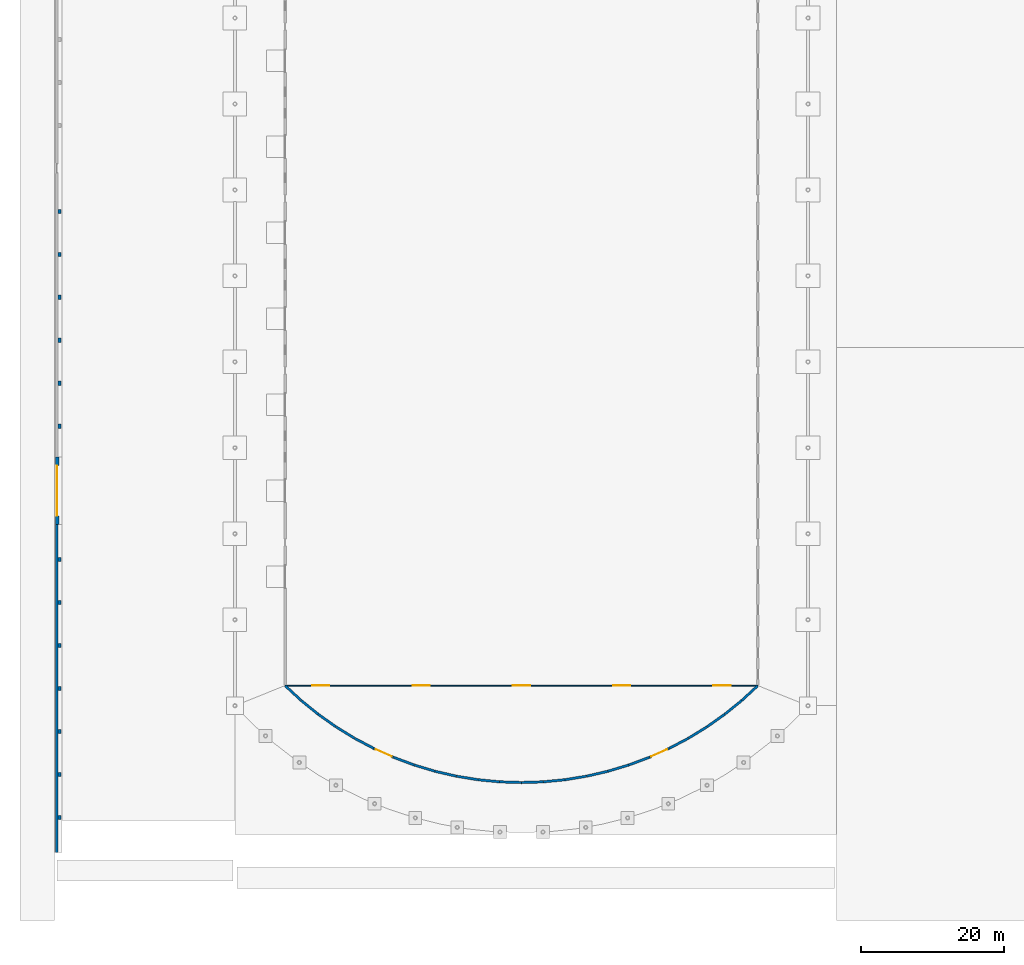
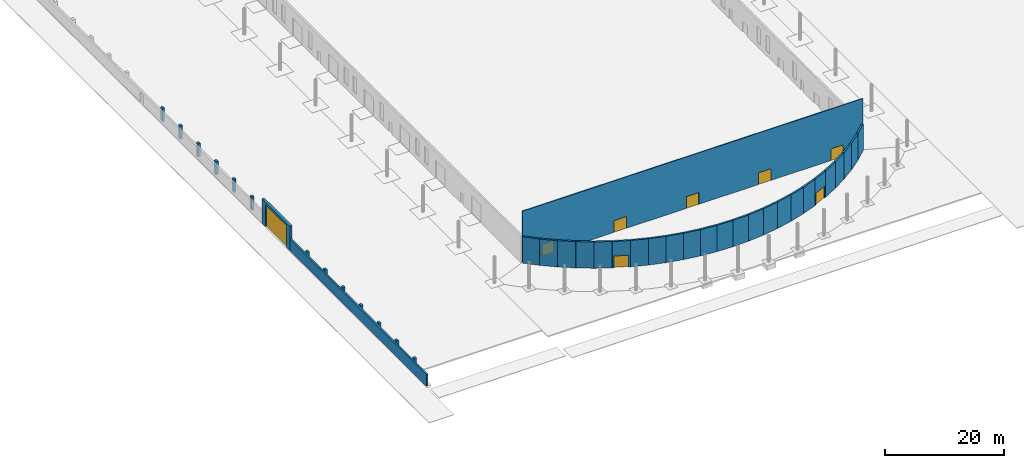
# One storey, part 59 of 132: 40 walls, 8 doors, 8 openings.
"""IFC4 building model written with IfcOpenShell, lengths in metres."""

from ifc_helpers import new_model, si_unit, direction, frame, frame_2d, origin, place, context, subcontext, project, spatial, rectangle, extrude, material, layer, layer_set, type_object, element, fill, save


model = new_model("IFC4")

# Units and contexts
model_context = context("Model", 3, precision=1e-05, world=origin(), true_north=direction((0.0, 1.0)))
body_context = subcontext(model_context, "Body", "Model", "MODEL_VIEW")
ifc_project = project(units=[si_unit("LENGTHUNIT", "METRE"), si_unit("AREAUNIT", "SQUARE_METRE"), si_unit("VOLUMEUNIT", "CUBIC_METRE"), si_unit("PLANEANGLEUNIT", "RADIAN"), si_unit("MASSUNIT", "GRAM", prefix="KILO")], contexts=[model_context])

# Site, building, storey
site_placement = place(None, origin())
site = spatial("IfcSite", under=ifc_project, at=site_placement, CompositionType="ELEMENT")
building_placement = place(site_placement, origin())
building = spatial("IfcBuilding", under=site, at=building_placement, Name="Ravi Spectrum Wholesale Market", CompositionType="ELEMENT")
storey_placement = place(building_placement, origin())
storey = spatial("IfcBuildingStorey", under=building, at=storey_placement, Name="L00", CompositionType="ELEMENT", Elevation=0.0)

# Wall, openings, doors
ifc_material_1 = material(Name="Concrete blockwork", Category="masonry")
ifc_layer_1 = layer(ifc_material_1, 0.14990234375)
ifc_layer_set_1 = layer_set([ifc_layer_1], Name="Concrete blockwork")
wall_type_1 = type_object("IfcWallType", Name="Blockwork partition 150", PredefinedType="PARTITIONING", material=ifc_layer_set_1)
wall_1_placement = place(storey_placement, frame((37.0, 32.810302734375, 0.0), z_axis=(0.0, 0.0, 1.0), x_axis=(1.0, 0.0, 0.0)))
wall_1 = element("IfcWall", 1, at=wall_1_placement, inside=storey, type_object=wall_type_1, Name="H1-WL-L00-028", PredefinedType="PARTITIONING", context=body_context, shape_type="SweptSolid", body=[
    extrude(rectangle(XDim=66.0, YDim=0.14990234375, at=frame_2d((33.0, 0.0))), origin(), (0.0, 0.0, 1.0), 10.550048828125),
])
opening_1_placement = place(wall_1_placement, frame((3.800048828125, 0.0, 0.0)))
opening_1 = element("IfcOpeningElement", 2, at=opening_1_placement, cuts=wall_1, Name="Opening D135", PredefinedType="OPENING", context=body_context, shape_type="SweptSolid", body=[
    extrude(rectangle(XDim=2.39990234375, YDim=2.39990234375, at=frame_2d((1.199951171875, 1.199951171875))), frame((0.0, 0.0849609375, 0.0), z_axis=(0.0, -1.0, 0.0), x_axis=(1.0, 0.0, 0.0)), (0.0, 0.0, 1.0), 0.169921875),
])
opening_2_placement = place(wall_1_placement, frame((17.800048828125, 0.0, 0.0)))
opening_2 = element("IfcOpeningElement", 3, at=opening_2_placement, cuts=wall_1, Name="Opening D136", PredefinedType="OPENING", context=body_context, shape_type="SweptSolid", body=[
    extrude(rectangle(XDim=2.39990234375, YDim=2.39990234375, at=frame_2d((1.199951171875, 1.199951171875))), frame((0.0, 0.0849609375, 0.0), z_axis=(0.0, -1.0, 0.0), x_axis=(1.0, 0.0, 0.0)), (0.0, 0.0, 1.0), 0.169921875),
])
opening_3_placement = place(wall_1_placement, frame((31.800048828125, 0.0, 0.0)))
opening_3 = element("IfcOpeningElement", 4, at=opening_3_placement, cuts=wall_1, Name="Opening D137", PredefinedType="OPENING", context=body_context, shape_type="SweptSolid", body=[
    extrude(rectangle(XDim=2.39990234375, YDim=2.39990234375, at=frame_2d((1.199951171875, 1.199951171875))), frame((0.0, 0.0849609375, 0.0), z_axis=(0.0, -1.0, 0.0), x_axis=(1.0, 0.0, 0.0)), (0.0, 0.0, 1.0), 0.169921875),
])
opening_4_placement = place(wall_1_placement, frame((45.800048828125, 0.0, 0.0)))
opening_4 = element("IfcOpeningElement", 5, at=opening_4_placement, cuts=wall_1, Name="Opening D138", PredefinedType="OPENING", context=body_context, shape_type="SweptSolid", body=[
    extrude(rectangle(XDim=2.39990234375, YDim=2.39990234375, at=frame_2d((1.199951171875, 1.199951171875))), frame((0.0, 0.0849609375, 0.0), z_axis=(0.0, -1.0, 0.0), x_axis=(1.0, 0.0, 0.0)), (0.0, 0.0, 1.0), 0.169921875),
])
opening_5_placement = place(wall_1_placement, frame((59.800048828125, 0.0, 0.0)))
opening_5 = element("IfcOpeningElement", 6, at=opening_5_placement, cuts=wall_1, Name="Opening D139", PredefinedType="OPENING", context=body_context, shape_type="SweptSolid", body=[
    extrude(rectangle(XDim=2.39990234375, YDim=2.39990234375, at=frame_2d((1.199951171875, 1.199951171875))), frame((0.0, 0.0849609375, 0.0), z_axis=(0.0, -1.0, 0.0), x_axis=(1.0, 0.0, 0.0)), (0.0, 0.0, 1.0), 0.169921875),
])
ifc_material_2 = material(Name="Aluminium glazed door", Category="aluminium")
door_type_1 = type_object("IfcDoorType", Name="Hall entrance sliding door 2400 x 2400", OperationType="SLIDING_TO_LEFT", PredefinedType="DOOR", material=ifc_material_2)
door_1_placement = place(opening_1_placement, origin())
door_1 = element("IfcDoor", 7, at=door_1_placement, inside=storey, type_object=door_type_1, Name="Door D135", OperationType="SLIDING_TO_LEFT", OverallHeight=2.39990234375, OverallWidth=2.39990234375, PredefinedType="DOOR", context=body_context, shape_type="SweptSolid", body=[
    extrude(rectangle(XDim=2.39990234375, YDim=2.39990234375, at=frame_2d((1.199951171875, 1.199951171875))), frame((0.0, 0.02490234375, 0.0), z_axis=(0.0, -1.0, 0.0), x_axis=(1.0, 0.0, 0.0)), (0.0, 0.0, 1.0), 0.050048828125),
])
fill(opening_1, door_1)
door_2_placement = place(opening_2_placement, origin())
door_2 = element("IfcDoor", 8, at=door_2_placement, inside=storey, type_object=door_type_1, Name="Door D136", OperationType="SLIDING_TO_LEFT", OverallHeight=2.39990234375, OverallWidth=2.39990234375, PredefinedType="DOOR", context=body_context, shape_type="SweptSolid", body=[
    extrude(rectangle(XDim=2.39990234375, YDim=2.39990234375, at=frame_2d((1.199951171875, 1.199951171875))), frame((0.0, 0.02490234375, 0.0), z_axis=(0.0, -1.0, 0.0), x_axis=(1.0, 0.0, 0.0)), (0.0, 0.0, 1.0), 0.050048828125),
])
fill(opening_2, door_2)
door_3_placement = place(opening_3_placement, origin())
door_3 = element("IfcDoor", 9, at=door_3_placement, inside=storey, type_object=door_type_1, Name="Door D137", OperationType="SLIDING_TO_LEFT", OverallHeight=2.39990234375, OverallWidth=2.39990234375, PredefinedType="DOOR", context=body_context, shape_type="SweptSolid", body=[
    extrude(rectangle(XDim=2.39990234375, YDim=2.39990234375, at=frame_2d((1.199951171875, 1.199951171875))), frame((0.0, 0.02490234375, 0.0), z_axis=(0.0, -1.0, 0.0), x_axis=(1.0, 0.0, 0.0)), (0.0, 0.0, 1.0), 0.050048828125),
])
fill(opening_3, door_3)
door_4_placement = place(opening_4_placement, origin())
door_4 = element("IfcDoor", 10, at=door_4_placement, inside=storey, type_object=door_type_1, Name="Door D138", OperationType="SLIDING_TO_LEFT", OverallHeight=2.39990234375, OverallWidth=2.39990234375, PredefinedType="DOOR", context=body_context, shape_type="SweptSolid", body=[
    extrude(rectangle(XDim=2.39990234375, YDim=2.39990234375, at=frame_2d((1.199951171875, 1.199951171875))), frame((0.0, 0.02490234375, 0.0), z_axis=(0.0, -1.0, 0.0), x_axis=(1.0, 0.0, 0.0)), (0.0, 0.0, 1.0), 0.050048828125),
])
fill(opening_4, door_4)
door_5_placement = place(opening_5_placement, origin())
door_5 = element("IfcDoor", 11, at=door_5_placement, inside=storey, type_object=door_type_1, Name="Door D139", OperationType="SLIDING_TO_LEFT", OverallHeight=2.39990234375, OverallWidth=2.39990234375, PredefinedType="DOOR", context=body_context, shape_type="SweptSolid", body=[
    extrude(rectangle(XDim=2.39990234375, YDim=2.39990234375, at=frame_2d((1.199951171875, 1.199951171875))), frame((0.0, 0.02490234375, 0.0), z_axis=(0.0, -1.0, 0.0), x_axis=(1.0, 0.0, 0.0)), (0.0, 0.0, 1.0), 0.050048828125),
])
fill(opening_5, door_5)

# Walls
ifc_material_3 = material(Name="Facing brickwork", Category="masonry")
ifc_layer_2 = layer(ifc_material_3, 0.340087890625)
ifc_layer_set_2 = layer_set([ifc_layer_2], Name="Facing brickwork")
wall_type_2 = type_object("IfcWallType", Name="Boundary wall 340 facing brick", PredefinedType="SOLIDWALL", material=ifc_layer_set_2)
wall_2_placement = place(storey_placement, frame((5.1201171875, 9.5, 0.0), z_axis=(0.0, 0.0, 1.0), x_axis=(0.0, 1.0, 0.0)))
element("IfcWall", 12, at=wall_2_placement, inside=storey, type_object=wall_type_2, Name="ST-WL-L00-003", PredefinedType="SOLIDWALL", context=body_context, shape_type="SweptSolid", body=[
    extrude(rectangle(XDim=45.800048828125, YDim=0.340087890625, at=frame_2d((22.89990234375, 0.0))), origin(), (0.0, 0.0, 1.0), 2.39990234375),
])
ifc_material_4 = material(Name="Clinker brickwork", Category="masonry")
ifc_layer_3 = layer(ifc_material_4, 0.340087890625)
ifc_layer_set_3 = layer_set([ifc_layer_3], Name="Clinker brickwork")
wall_type_3 = type_object("IfcWallType", Name="Brick 340 clinker", PredefinedType="SOLIDWALL", material=ifc_layer_set_3)
wall_3_placement = place(storey_placement, frame((37.0546875, 32.759765625, 0.0), z_axis=(0.0, 0.0, 1.0), x_axis=(0.734440688788, -0.678672877499, 0.0)))
element("IfcWall", 13, at=wall_3_placement, inside=storey, type_object=wall_type_3, Name="Hall apse wall", PredefinedType="SOLIDWALL", context=body_context, shape_type="SweptSolid", body=[
    extrude(rectangle(XDim=2.96826171875, YDim=0.340087890625, at=frame_2d((1.484130859375, 0.0))), origin(), (0.0, 0.0, 1.0), 5.39990234375),
])
wall_4_placement = place(storey_placement, frame((39.242919921875, 30.73828125, 0.0), z_axis=(0.0, 0.0, 1.0), x_axis=(0.776892829769, -0.629632854173, 0.0)))
element("IfcWall", 14, at=wall_4_placement, inside=storey, type_object=wall_type_3, Name="Hall apse wall", PredefinedType="SOLIDWALL", context=body_context, shape_type="SweptSolid", body=[
    extrude(rectangle(XDim=3.037353515625, YDim=0.340087890625, at=frame_2d((1.5185546875, 0.0))), origin(), (0.0, 0.0, 1.0), 5.39990234375),
])
wall_5_placement = place(storey_placement, frame((41.611328125, 28.8193359375, 0.0), z_axis=(0.0, 0.0, 1.0), x_axis=(0.81603554034, -0.578001727421, 0.0)))
element("IfcWall", 15, at=wall_5_placement, inside=storey, type_object=wall_type_3, Name="Hall apse wall", PredefinedType="SOLIDWALL", context=body_context, shape_type="SweptSolid", body=[
    extrude(rectangle(XDim=3.036865234375, YDim=0.340087890625, at=frame_2d((1.5185546875, 0.0))), origin(), (0.0, 0.0, 1.0), 5.39990234375),
])
for number, where, z_axis, x_axis, name in (
    (16, (44.098876953125, 27.057861328125, 0.0), (0.0, 0.0, 1.0), (0.851845943441, -0.523792409876, 0.0), "Hall apse wall"),
    (17, (46.695556640625, 25.46142578125, 0.0), (0.0, 0.0, 1.0), (0.883985322112, -0.467514652487, 0.0), "Hall apse wall"),
):
    element("IfcWall", number, at=place(storey_placement, frame(where, z_axis=z_axis, x_axis=x_axis)), inside=storey, type_object=wall_type_3, Name=name, PredefinedType="SOLIDWALL", context=body_context, shape_type="SweptSolid", body=[
        extrude(rectangle(XDim=3.037109375, YDim=0.340087890625, at=frame_2d((1.5185546875, 0.0))), origin(), (0.0, 0.0, 1.0), 5.39990234375),
    ])

# Wall, opening, door
wall_6_placement = place(storey_placement, frame((49.39013671875, 24.03662109375, 0.0), z_axis=(0.0, 0.0, 1.0), x_axis=(0.912430675293, -0.40923130719, 0.0)))
wall_6 = element("IfcWall", 18, at=wall_6_placement, inside=storey, type_object=wall_type_3, Name="Hall apse wall", PredefinedType="SOLIDWALL", context=body_context, shape_type="SweptSolid", body=[
    extrude(rectangle(XDim=3.037109375, YDim=0.340087890625, at=frame_2d((1.5185546875, 0.0))), origin(), (0.0, 0.0, 1.0), 5.39990234375),
])
opening_6_placement = place(wall_6_placement, frame((0.318603515625, 0.0, 0.0)))
opening_6 = element("IfcOpeningElement", 19, at=opening_6_placement, cuts=wall_6, Name="Opening D141", PredefinedType="OPENING", context=body_context, shape_type="SweptSolid", body=[
    extrude(rectangle(XDim=2.39990234375, YDim=2.39990234375, at=frame_2d((1.199951171875, 1.199951171875))), frame((0.0, 0.179931640625, 0.0), z_axis=(0.0, -1.0, 0.0), x_axis=(1.0, 0.0, 0.0)), (0.0, 0.0, 1.0), 0.360107421875),
])
door_6_placement = place(opening_6_placement, origin())
door_6 = element("IfcDoor", 20, at=door_6_placement, inside=storey, type_object=door_type_1, Name="Door D141", OperationType="SLIDING_TO_LEFT", OverallHeight=2.39990234375, OverallWidth=2.39990234375, PredefinedType="DOOR", context=body_context, shape_type="SweptSolid", body=[
    extrude(rectangle(XDim=2.39990234375, YDim=2.39990234375, at=frame_2d((1.199951171875, 1.199951171875))), frame((0.0, 0.02490234375, 0.0), z_axis=(0.0, -1.0, 0.0), x_axis=(1.0, 0.0, 0.0)), (0.0, 0.0, 1.0), 0.050048828125),
])
fill(opening_6, door_6)

# Walls
for number, where, z_axis, x_axis, name in (
    (21, (52.17138671875, 22.78955078125, 0.0), (0.0, 0.0, 1.0), (0.937050657118, -0.349193450675, 0.0), "Hall apse wall"),
    (22, (55.02783203125, 21.725341796875, 0.0), (0.0, 0.0, 1.0), (0.957720021653, -0.287701859787, 0.0), "Hall apse wall"),
    (23, (57.947021484375, 20.8486328125, 0.0), (0.0, 0.0, 1.0), (0.974341044043, -0.225076720017, 0.0), "Hall apse wall"),
    (24, (60.9169921875, 20.162841796875, 0.0), (0.0, 0.0, 1.0), (0.986886925042, -0.161413125803, 0.0), "Hall apse wall"),
    (25, (63.92529296875, 19.671142578125, 0.0), (0.0, 0.0, 1.0), (0.995266103522, -0.097187361211, 0.0), "Hall apse wall"),
    (26, (66.958984375, 19.37548828125, 0.0), (0.0, 0.0, 1.0), (0.999472482205, -0.032477027492, 0.0), "Hall apse wall"),
    (27, (70.005615234375, 19.27685546875, 0.0), (0.0, 0.0, 1.0), (0.999472482205, 0.032477027492, 0.0), "Hall apse wall"),
    (28, (73.052001953125, 19.3759765625, 0.0), (0.0, 0.0, 1.0), (0.995266103522, 0.097187361211, 0.0), "Hall apse wall"),
    (29, (76.085693359375, 19.672607421875, 0.0), (0.0, 0.0, 1.0), (0.986886925042, 0.161413125803, 0.0), "Hall apse wall"),
    (30, (79.09375, 20.1650390625, 0.0), (0.0, 0.0, 1.0), (0.974341044043, 0.225076720017, 0.0), "Hall apse wall"),
    (31, (82.0634765625, 20.8515625, 0.0), (0.0, 0.0, 1.0), (0.957720021653, 0.287701859787, 0.0), "Hall apse wall"),
    (32, (84.982666015625, 21.72900390625, 0.0), (0.0, 0.0, 1.0), (0.937050657118, 0.349193450675, 0.0), "Hall apse wall"),
):
    element("IfcWall", number, at=place(storey_placement, frame(where, z_axis=z_axis, x_axis=x_axis)), inside=storey, type_object=wall_type_3, Name=name, PredefinedType="SOLIDWALL", context=body_context, shape_type="SweptSolid", body=[
        extrude(rectangle(XDim=3.037109375, YDim=0.340087890625, at=frame_2d((1.5185546875, 0.0))), origin(), (0.0, 0.0, 1.0), 5.39990234375),
    ])

# Wall, opening, door
wall_7_placement = place(storey_placement, frame((87.838623046875, 22.793701171875, 0.0), z_axis=(0.0, 0.0, 1.0), x_axis=(0.912430675293, 0.40923130719, 0.0)))
wall_7 = element("IfcWall", 33, at=wall_7_placement, inside=storey, type_object=wall_type_3, Name="Hall apse wall", PredefinedType="SOLIDWALL", context=body_context, shape_type="SweptSolid", body=[
    extrude(rectangle(XDim=3.037109375, YDim=0.340087890625, at=frame_2d((1.5185546875, 0.0))), origin(), (0.0, 0.0, 1.0), 5.39990234375),
])
opening_7_placement = place(wall_7_placement, frame((0.318603515625, 0.0, 0.0)))
opening_7 = element("IfcOpeningElement", 34, at=opening_7_placement, cuts=wall_7, Name="Opening D142", PredefinedType="OPENING", context=body_context, shape_type="SweptSolid", body=[
    extrude(rectangle(XDim=2.39990234375, YDim=2.39990234375, at=frame_2d((1.199951171875, 1.199951171875))), frame((0.0, 0.179931640625, 0.0), z_axis=(0.0, -1.0, 0.0), x_axis=(1.0, 0.0, 0.0)), (0.0, 0.0, 1.0), 0.360107421875),
])
door_7_placement = place(opening_7_placement, origin())
door_7 = element("IfcDoor", 35, at=door_7_placement, inside=storey, type_object=door_type_1, Name="Door D142", OperationType="SLIDING_TO_LEFT", OverallHeight=2.39990234375, OverallWidth=2.39990234375, PredefinedType="DOOR", context=body_context, shape_type="SweptSolid", body=[
    extrude(rectangle(XDim=2.39990234375, YDim=2.39990234375, at=frame_2d((1.199951171875, 1.199951171875))), frame((0.0, 0.02490234375, 0.0), z_axis=(0.0, -1.0, 0.0), x_axis=(1.0, 0.0, 0.0)), (0.0, 0.0, 1.0), 0.050048828125),
])
fill(opening_7, door_7)

# Walls
for number, where, z_axis, x_axis, name in (
    (36, (90.61962890625, 24.04150390625, 0.0), (0.0, 0.0, 1.0), (0.883985322112, 0.467514652487, 0.0), "Hall apse wall"),
    (37, (93.31396484375, 25.467041015625, 0.0), (0.0, 0.0, 1.0), (0.851845943441, 0.523792409876, 0.0), "Hall apse wall"),
):
    element("IfcWall", number, at=place(storey_placement, frame(where, z_axis=z_axis, x_axis=x_axis)), inside=storey, type_object=wall_type_3, Name=name, PredefinedType="SOLIDWALL", context=body_context, shape_type="SweptSolid", body=[
        extrude(rectangle(XDim=3.037109375, YDim=0.340087890625, at=frame_2d((1.5185546875, 0.0))), origin(), (0.0, 0.0, 1.0), 5.39990234375),
    ])
wall_8_placement = place(storey_placement, frame((95.910400390625, 27.06396484375, 0.0), z_axis=(0.0, 0.0, 1.0), x_axis=(0.81603554034, 0.578001727421, 0.0)))
element("IfcWall", 38, at=wall_8_placement, inside=storey, type_object=wall_type_3, Name="Hall apse wall", PredefinedType="SOLIDWALL", context=body_context, shape_type="SweptSolid", body=[
    extrude(rectangle(XDim=3.036865234375, YDim=0.340087890625, at=frame_2d((1.5185546875, 0.0))), origin(), (0.0, 0.0, 1.0), 5.39990234375),
])
wall_9_placement = place(storey_placement, frame((98.3974609375, 28.825927734375, 0.0), z_axis=(0.0, 0.0, 1.0), x_axis=(0.776892829769, 0.629632854173, 0.0)))
element("IfcWall", 39, at=wall_9_placement, inside=storey, type_object=wall_type_3, Name="Hall apse wall", PredefinedType="SOLIDWALL", context=body_context, shape_type="SweptSolid", body=[
    extrude(rectangle(XDim=3.037353515625, YDim=0.340087890625, at=frame_2d((1.5185546875, 0.0))), origin(), (0.0, 0.0, 1.0), 5.39990234375),
])
wall_10_placement = place(storey_placement, frame((100.765380859375, 30.745361328125, 0.0), z_axis=(0.0, 0.0, 1.0), x_axis=(0.734440688788, 0.678672877499, 0.0)))
element("IfcWall", 40, at=wall_10_placement, inside=storey, type_object=wall_type_3, Name="Hall apse wall", PredefinedType="SOLIDWALL", context=body_context, shape_type="SweptSolid", body=[
    extrude(rectangle(XDim=2.96826171875, YDim=0.340087890625, at=frame_2d((1.484130859375, 0.0))), origin(), (0.0, 0.0, 1.0), 5.39990234375),
])

# Wall, opening, door
ifc_material_5 = material(Name="Clinker brickwork", Category="masonry")
ifc_layer_4 = layer(ifc_material_5, 0.4599609375)
ifc_layer_set_4 = layer_set([ifc_layer_4], Name="Clinker brickwork")
wall_type_4 = type_object("IfcWallType", Name="Brick 460 pier wall", PredefinedType="SOLIDWALL", material=ifc_layer_set_4)
wall_11_placement = place(storey_placement, frame((5.179931640625, 55.300048828125, 0.0), z_axis=(0.0, 0.0, 1.0), x_axis=(0.0, 1.0, 0.0)))
wall_11 = element("IfcWall", 41, at=wall_11_placement, inside=storey, type_object=wall_type_4, Name="ST-WL-L00-001", PredefinedType="SOLIDWALL", context=body_context, shape_type="SweptSolid", body=[
    extrude(rectangle(XDim=9.39990234375, YDim=0.4599609375, at=frame_2d((4.699951171875, 0.0))), origin(), (0.0, 0.0, 1.0), 5.0),
])
opening_8_placement = place(wall_11_placement, frame((1.199951171875, 0.0, 0.0)))
opening_8 = element("IfcOpeningElement", 42, at=opening_8_placement, cuts=wall_11, Name="Opening D750", PredefinedType="OPENING", context=body_context, shape_type="SweptSolid", body=[
    extrude(rectangle(XDim=7.0, YDim=4.5, at=frame_2d((3.5, 2.25))), frame((0.0, 0.239990234375, 0.0), z_axis=(0.0, -1.0, 0.0), x_axis=(1.0, 0.0, 0.0)), (0.0, 0.0, 1.0), 0.47998046875),
])
ifc_material_6 = material(Name="Steel gate", Category="steel")
door_type_2 = type_object("IfcDoorType", Name="Sliding truck gate 7000 x 4500", OperationType="SLIDING_TO_LEFT", PredefinedType="GATE", material=ifc_material_6)
door_8_placement = place(opening_8_placement, origin())
door_8 = element("IfcDoor", 43, at=door_8_placement, inside=storey, type_object=door_type_2, Name="Gate D750", OperationType="SLIDING_TO_LEFT", OverallHeight=4.5, OverallWidth=7.0, PredefinedType="GATE", context=body_context, shape_type="SweptSolid", body=[
    extrude(rectangle(XDim=7.0, YDim=4.5, at=frame_2d((3.5, 2.25))), frame((0.0, 0.02490234375, 0.0), z_axis=(0.0, -1.0, 0.0), x_axis=(1.0, 0.0, 0.0)), (0.0, 0.0, 1.0), 0.050048828125),
])
fill(opening_8, door_8)

# Walls
for number, where, z_axis, x_axis, name in (
    (44, (5.52001953125, 14.10009765625, 0.0), (0.0, 0.0, 1.0), (0.0, 1.0, 0.0), "ST-WL-L00-004"),
    (45, (5.52001953125, 20.10009765625, 0.0), (0.0, 0.0, 1.0), (0.0, 1.0, 0.0), "ST-WL-L00-005"),
    (46, (5.52001953125, 26.10009765625, 0.0), (0.0, 0.0, 1.0), (0.0, 1.0, 0.0), "ST-WL-L00-006"),
    (47, (5.52001953125, 32.10009765625, 0.0), (0.0, 0.0, 1.0), (0.0, 1.0, 0.0), "ST-WL-L00-007"),
    (48, (5.52001953125, 38.10009765625, 0.0), (0.0, 0.0, 1.0), (0.0, 1.0, 0.0), "ST-WL-L00-008"),
    (49, (5.52001953125, 44.10009765625, 0.0), (0.0, 0.0, 1.0), (0.0, 1.0, 0.0), "ST-WL-L00-009"),
    (50, (5.52001953125, 50.10009765625, 0.0), (0.0, 0.0, 1.0), (0.0, 1.0, 0.0), "ST-WL-L00-010"),
):
    element("IfcWall", number, at=place(storey_placement, frame(where, z_axis=z_axis, x_axis=x_axis)), inside=storey, type_object=wall_type_4, Name=name, PredefinedType="SOLIDWALL", context=body_context, shape_type="SweptSolid", body=[
        extrude(rectangle(XDim=0.599853515625, YDim=0.4599609375, at=frame_2d((0.2998046875, 0.0))), origin(), (0.0, 0.0, 1.0), 2.699951171875),
    ])
for number, where, z_axis, x_axis, name in (
    (51, (5.52001953125, 68.699951171875, 0.0), (0.0, 0.0, 1.0), (0.0, 1.0, 0.0), "ST-WL-L00-012"),
    (52, (5.52001953125, 74.699951171875, 0.0), (0.0, 0.0, 1.0), (0.0, 1.0, 0.0), "ST-WL-L00-013"),
    (53, (5.52001953125, 80.699951171875, 0.0), (0.0, 0.0, 1.0), (0.0, 1.0, 0.0), "ST-WL-L00-014"),
    (54, (5.52001953125, 86.699951171875, 0.0), (0.0, 0.0, 1.0), (0.0, 1.0, 0.0), "ST-WL-L00-015"),
    (55, (5.52001953125, 92.699951171875, 0.0), (0.0, 0.0, 1.0), (0.0, 1.0, 0.0), "ST-WL-L00-016"),
    (56, (5.52001953125, 98.699951171875, 0.0), (0.0, 0.0, 1.0), (0.0, 1.0, 0.0), "ST-WL-L00-017"),
):
    element("IfcWall", number, at=place(storey_placement, frame(where, z_axis=z_axis, x_axis=x_axis)), inside=storey, type_object=wall_type_4, Name=name, PredefinedType="SOLIDWALL", context=body_context, shape_type="SweptSolid", body=[
        extrude(rectangle(XDim=0.60009765625, YDim=0.4599609375, at=frame_2d((0.300048828125, 0.0))), origin(), (0.0, 0.0, 1.0), 2.699951171875),
    ])

save(model, "model.ifc")
